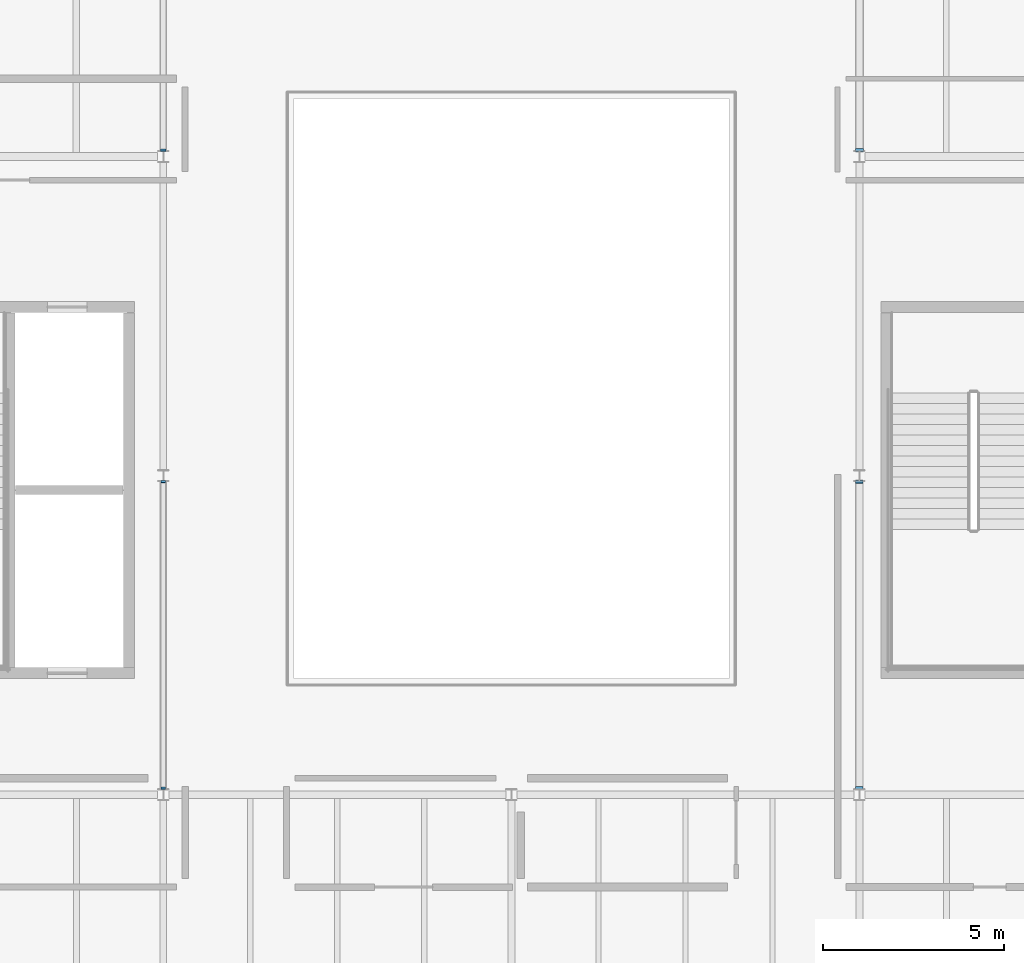
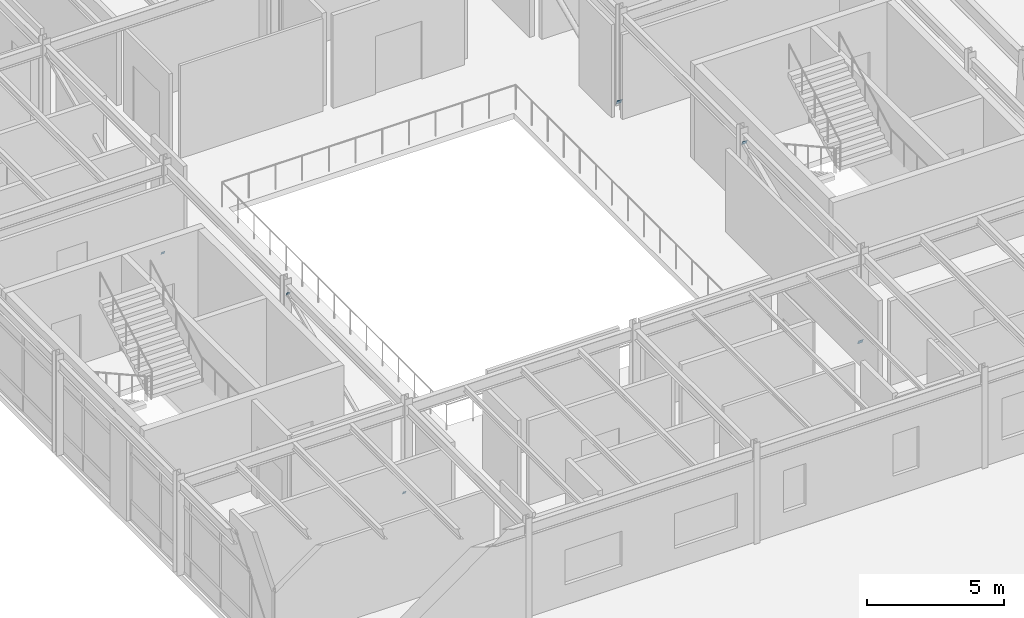
# One storey, part 45 of 69: 6 plates.
"""IFC4 building model written with IfcOpenShell, lengths in metres."""

from ifc_helpers import new_model, si_unit, direction, frame, origin, origin_2d, place, context, subcontext, project, spatial, rectangle, extrude, material, layer, layer_set, type_object, element, save


model = new_model("IFC4")

# Units and contexts
model_context = context("Model", 3, precision=1e-05, world=origin(), true_north=direction((0.0, 1.0)))
body_context = subcontext(model_context, "Body", "Model", "MODEL_VIEW")
ifc_project = project(units=[si_unit("LENGTHUNIT", "METRE"), si_unit("AREAUNIT", "SQUARE_METRE"), si_unit("VOLUMEUNIT", "CUBIC_METRE"), si_unit("PLANEANGLEUNIT", "RADIAN"), si_unit("MASSUNIT", "GRAM", prefix="KILO")], contexts=[model_context])

# Site, building, storey
site_placement = place(None, origin())
site = spatial("IfcSite", under=ifc_project, at=site_placement, CompositionType="ELEMENT")
building_placement = place(site_placement, origin())
building = spatial("IfcBuilding", under=site, at=building_placement, Name="Sarnbrook Museum", CompositionType="ELEMENT")
storey_placement = place(building_placement, frame((0.0, 0.0, 14.60009765625)))
storey = spatial("IfcBuildingStorey", under=building, at=storey_placement, Name="L03", CompositionType="ELEMENT", Elevation=14.60009765625)

# Plates
ifc_material = material(Name="Structural Steel Grade 350L0 (AS/NZS 3678, fy = 340 MPa for 20 < t <= 40 mm)", Category="steel")
ifc_layer_1 = layer(ifc_material, 0.01611328125)
ifc_layer_set_1 = layer_set([ifc_layer_1], Name="Structural Steel Grade 350L0 (AS/NZS 3678, fy = 340 MPa for 20 < t <= 40 mm)")
plate_type_1 = type_object("IfcPlateType", Name="EndCapPlate_CAP125", PredefinedType="USERDEFINED", material=ifc_layer_set_1)
for number, where, z_axis, x_axis, name in (
    (1, (90.39990234375, 56.96533203125, 0.113525390625), (0.0, 0.914658650878, 0.404227104946), (-1.0, 0.0, 0.0), "Hollow End Cap Plate CBF:1:L03-1"),
    (2, (90.39990234375, 65.419921875, 3.849853515625), (0.0, 0.914658650878, 0.404227104946), (-1.0, 0.0, 0.0), "Hollow End Cap Plate CBF:1:L03-2"),
):
    element("IfcPlate", number, at=place(storey_placement, frame(where, z_axis=z_axis, x_axis=x_axis)), inside=storey, type_object=plate_type_1, Name=name, ObjectType="END CAP PLATE", PredefinedType="USERDEFINED", context=body_context, shape_type="SweptSolid", body=[
        extrude(rectangle(XDim=0.125, YDim=0.125, at=origin_2d()), origin(), (0.0, 0.0, 1.0), 0.01611328125),
    ])
ifc_layer_2 = layer(ifc_material, 0.01611328125)
ifc_layer_set_2 = layer_set([ifc_layer_2], Name="Structural Steel Grade 350L0 (AS/NZS 3678, fy = 340 MPa for 20 < t <= 40 mm)")
plate_type_2 = type_object("IfcPlateType", Name="EndCapPlate_CAP150", PredefinedType="USERDEFINED", material=ifc_layer_set_2)
plate_1_placement = place(storey_placement, frame((90.39990234375, 74.5654296875, 0.113525390625), z_axis=(0.0, 0.914658650878, 0.404227104946), x_axis=(-1.0, 0.0, 0.0)))
element("IfcPlate", 3, at=plate_1_placement, inside=storey, type_object=plate_type_2, Name="Hollow End Cap Plate CBF:3:L03-1", ObjectType="END CAP PLATE", PredefinedType="USERDEFINED", context=body_context, shape_type="SweptSolid", body=[
    extrude(rectangle(XDim=0.14990234375, YDim=0.14990234375, at=origin_2d()), origin(), (0.0, 0.0, 1.0), 0.01611328125),
])
ifc_layer_3 = layer(ifc_material, 0.01611328125)
ifc_layer_set_3 = layer_set([ifc_layer_3], Name="Structural Steel Grade 350L0 (AS/NZS 3678, fy = 340 MPa for 20 < t <= 40 mm)")
plate_type_3 = type_object("IfcPlateType", Name="EndCapPlate_CAP200", PredefinedType="USERDEFINED", material=ifc_layer_set_3)
for number, where, z_axis, x_axis, name in (
    (4, (109.60009765625, 56.96533203125, 0.113525390625), (0.0, 0.914658650878, 0.404227104946), (-1.0, 0.0, 0.0), "Hollow End Cap Plate CBF:2:L03-1"),
    (5, (109.60009765625, 65.419921875, 3.849853515625), (0.0, 0.914658650878, 0.404227104946), (-1.0, 0.0, 0.0), "Hollow End Cap Plate CBF:2:L03-2"),
):
    element("IfcPlate", number, at=place(storey_placement, frame(where, z_axis=z_axis, x_axis=x_axis)), inside=storey, type_object=plate_type_3, Name=name, ObjectType="END CAP PLATE", PredefinedType="USERDEFINED", context=body_context, shape_type="SweptSolid", body=[
        extrude(rectangle(XDim=0.199951171875, YDim=0.199951171875, at=origin_2d()), origin(), (0.0, 0.0, 1.0), 0.01611328125),
    ])
ifc_layer_4 = layer(ifc_material, 0.01611328125)
ifc_layer_set_4 = layer_set([ifc_layer_4], Name="Structural Steel Grade 350L0 (AS/NZS 3678, fy = 340 MPa for 20 < t <= 40 mm)")
plate_type_4 = type_object("IfcPlateType", Name="EndCapPlate_CAP219", PredefinedType="USERDEFINED", material=ifc_layer_set_4)
plate_2_placement = place(storey_placement, frame((109.60009765625, 74.5654296875, 0.113525390625), z_axis=(0.0, 0.914658650878, 0.404227104946), x_axis=(-1.0, 0.0, 0.0)))
element("IfcPlate", 6, at=plate_2_placement, inside=storey, type_object=plate_type_4, Name="Hollow End Cap Plate CBF:4:L03-1", ObjectType="END CAP PLATE", PredefinedType="USERDEFINED", context=body_context, shape_type="SweptSolid", body=[
    extrude(rectangle(XDim=0.22509765625, YDim=0.22509765625, at=origin_2d()), origin(), (0.0, 0.0, 1.0), 0.01611328125),
])

save(model, "model.ifc")
